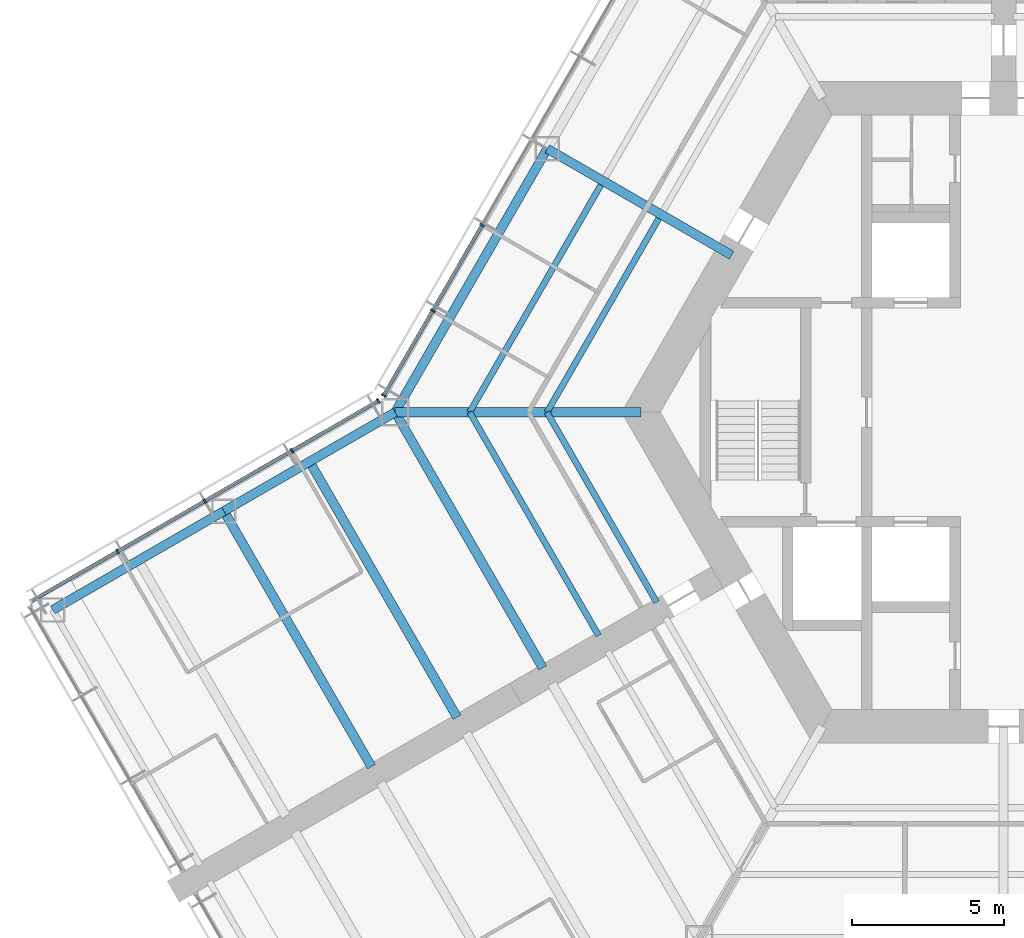
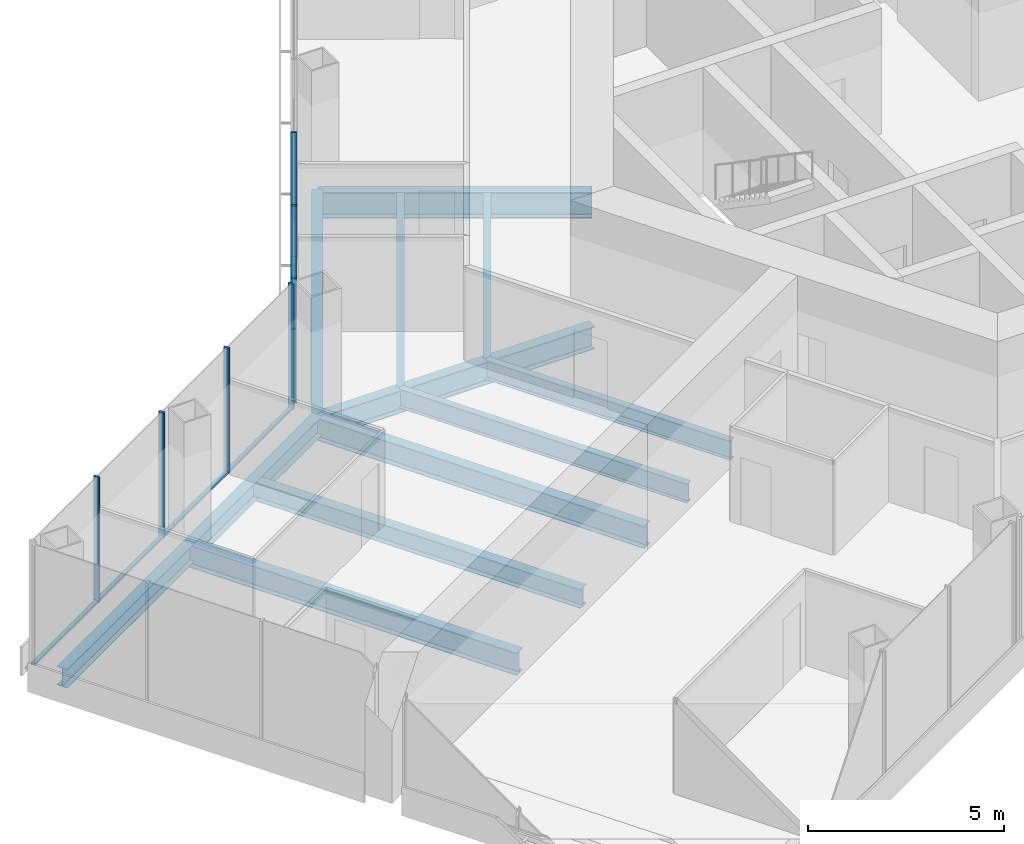
# One storey, part 4 of 18: 13 members, 12 beams, 2 elements without a shape of their own.
"""IFC4 building model written with IfcOpenShell, lengths in metres."""

from ifc_helpers import new_model, si_unit, direction, frame, origin, origin_2d, place, context, subcontext, project, spatial, rectangle, i_section, extrude, material, material_profile, profile_set, type_object, element, aggregate, save


model = new_model("IFC4")

# Units and contexts
model_context = context("Model", 3, precision=1e-05, world=origin(), true_north=direction((0.0, 1.0)))
body_context = subcontext(model_context, "Body", "Model", "MODEL_VIEW")
ifc_project = project(units=[si_unit("LENGTHUNIT", "METRE"), si_unit("AREAUNIT", "SQUARE_METRE"), si_unit("VOLUMEUNIT", "CUBIC_METRE"), si_unit("PLANEANGLEUNIT", "RADIAN"), si_unit("MASSUNIT", "GRAM", prefix="KILO")], contexts=[model_context])

# Site, building, storey
site_placement = place(None, origin())
site = spatial("IfcSite", under=ifc_project, at=site_placement, CompositionType="ELEMENT")
building_placement = place(site_placement, origin())
building = spatial("IfcBuilding", under=site, at=building_placement, Name="Kasaneha Research Tower", CompositionType="ELEMENT")
storey_placement = place(building_placement, frame((0.0, 0.0, 80.699951171875)))
storey = spatial("IfcBuildingStorey", under=building, at=storey_placement, Name="L20", CompositionType="ELEMENT", Elevation=80.699951171875)

# Beams
ifc_material_1 = material(Name="Steel SN490B", Category="steel")
ifc_material_profile_1 = material_profile(ifc_material_1, i_section(OverallWidth=0.199951171875, OverallDepth=0.60009765625, WebThickness=0.010986328125, FlangeThickness=0.01708984375, FilletRadius=0.012939453125, at=origin_2d()), Name="H-600x200x11x17")
ifc_profile_set_1 = profile_set([ifc_material_profile_1], Name="Steel SN490B")
beam_type_1 = type_object("IfcBeamType", Name="B1-3 secondary beam H-600x200x11x17", PredefinedType="JOIST", material=ifc_profile_set_1)
beam_1_placement = place(storey_placement, frame((-15.010986328125, 0.0, -0.449951171875), z_axis=(0.499994443168, 0.866028611999, 0.0), x_axis=(-0.866028611999, 0.499994443168, 0.0)))
element("IfcBeam", 1, at=beam_1_placement, inside=storey, type_object=beam_type_1, Name="Secondary beam RS150R1 L20", PredefinedType="JOIST", context=body_context, shape_type="SweptSolid", body=[
    extrude(i_section(OverallWidth=0.199951171875, OverallDepth=0.60009765625, WebThickness=0.010986328125, FlangeThickness=0.01708984375, FilletRadius=0.012939453125, at=origin_2d()), origin(), (0.0, 0.0, 1.0), 7.35546875),
])
beam_2_placement = place(storey_placement, frame((-17.551513671875, 0.0, -0.449951171875), z_axis=(0.5000050195, 0.866022505755, 0.0), x_axis=(-0.866022505755, 0.5000050195, 0.0)))
element("IfcBeam", 2, at=beam_2_placement, inside=storey, type_object=beam_type_1, Name="Secondary beam RS150R2 L20", PredefinedType="JOIST", context=body_context, shape_type="SweptSolid", body=[
    extrude(i_section(OverallWidth=0.199951171875, OverallDepth=0.60009765625, WebThickness=0.010986328125, FlangeThickness=0.01708984375, FilletRadius=0.012939453125, at=origin_2d()), origin(), (0.0, 0.0, 1.0), 8.6259765625),
])
beam_3_placement = place(storey_placement, frame((-15.010986328125, 0.0, -0.449951171875), z_axis=(0.499972735707, -0.866041144259, 0.0), x_axis=(0.866041144259, 0.499972735707, 0.0)))
element("IfcBeam", 3, at=beam_3_placement, inside=storey, type_object=beam_type_1, Name="Secondary beam RS210L1 L20", PredefinedType="JOIST", context=body_context, shape_type="SweptSolid", body=[
    extrude(i_section(OverallWidth=0.199951171875, OverallDepth=0.60009765625, WebThickness=0.010986328125, FlangeThickness=0.01708984375, FilletRadius=0.012939453125, at=origin_2d()), origin(), (0.0, 0.0, 1.0), 7.20556640625),
])
beam_4_placement = place(storey_placement, frame((-17.551513671875, 0.0, -0.449951171875), z_axis=(0.500020829043, -0.866013377797, 0.0), x_axis=(0.866013377797, 0.500020829043, 0.0)))
element("IfcBeam", 4, at=beam_4_placement, inside=storey, type_object=beam_type_1, Name="Secondary beam RS210L2 L20", PredefinedType="JOIST", context=body_context, shape_type="SweptSolid", body=[
    extrude(i_section(OverallWidth=0.199951171875, OverallDepth=0.60009765625, WebThickness=0.010986328125, FlangeThickness=0.01708984375, FilletRadius=0.012939453125, at=origin_2d()), origin(), (0.0, 0.0, 1.0), 8.475830078125),
])
ifc_material_2 = material(Name="Steel SN490B", Category="steel")
ifc_material_profile_2 = material_profile(ifc_material_2, i_section(OverallWidth=0.300048828125, OverallDepth=0.58203125, WebThickness=0.011962890625, FlangeThickness=0.01708984375, FilletRadius=0.012939453125, at=origin_2d()), Name="H-582x300x12x17")
ifc_profile_set_2 = profile_set([ifc_material_profile_2], Name="Steel SN490B")
beam_type_2 = type_object("IfcBeamType", Name="B2-3 secondary beam H-582x300x12x17", PredefinedType="JOIST", material=ifc_profile_set_2)
beam_5_placement = place(storey_placement, frame((-22.814697265625, -1.625, -0.44091796875), z_axis=(0.500010041276, -0.866019606374, 0.0), x_axis=(0.866019606374, 0.500010041276, 0.0)))
element("IfcBeam", 5, at=beam_5_placement, inside=storey, type_object=beam_type_2, Name="Secondary beam WBBP1 L20", PredefinedType="JOIST", context=body_context, shape_type="SweptSolid", body=[
    extrude(i_section(OverallWidth=0.300048828125, OverallDepth=0.58203125, WebThickness=0.011962890625, FlangeThickness=0.01708984375, FilletRadius=0.012939453125, at=origin_2d()), origin(), (0.0, 0.0, 1.0), 9.699951171875),
])

# Curtain wall, members
ifc_material_3 = material(Name="Glass and aluminium", Category="aluminium")
curtain_wall_type = type_object("IfcCurtainWallType", Name="Low-rise office curtain wall", PredefinedType="USERDEFINED", material=ifc_material_3)
curtain_wall_1_placement = place(storey_placement, origin())
curtain_wall_1 = element("IfcCurtainWall", 6, at=curtain_wall_1_placement, inside=storey, type_object=curtain_wall_type, Name="CW-O1 L20 run 12a", ObjectType="UNITISED CURTAIN WALL", PredefinedType="USERDEFINED")
ifc_material_4 = material(Name="Aluminium 6063-T6", Category="aluminium")
ifc_material_profile_3 = material_profile(ifc_material_4, rectangle(XDim=0.06005859375, YDim=0.159912109375, at=origin_2d()), Name="CW-O1 mullion 60x160")
ifc_profile_set_3 = profile_set([ifc_material_profile_3], Name="Aluminium 6063-T6")
member_type_1 = type_object("IfcMemberType", Name="CW-O1 mullion", PredefinedType="MULLION", material=ifc_profile_set_3)
member_1_placement = place(storey_placement, frame((-17.142822265625, 6.148681640625, 0.0), z_axis=(0.0, 0.0, 1.0), x_axis=(-0.49999996188, -0.866025425793, 0.0)))
member_1 = element("IfcMember", 7, at=member_1_placement, type_object=member_type_1, Name="CW-O1 mullion 5", PredefinedType="MULLION", context=body_context, shape_type="SweptSolid", body=[
    extrude(rectangle(XDim=0.06005859375, YDim=0.159912109375, at=origin_2d()), origin(), (0.0, 0.0, 1.0), 3.900146484375),
])
member_2_placement = place(storey_placement, frame((-18.76611328125, 3.33740234375, 0.0), z_axis=(0.0, 0.0, 1.0), x_axis=(-0.49999996188, -0.866025425793, 0.0)))
member_2 = element("IfcMember", 8, at=member_2_placement, type_object=member_type_1, Name="CW-O1 mullion 6", PredefinedType="MULLION", context=body_context, shape_type="SweptSolid", body=[
    extrude(rectangle(XDim=0.06005859375, YDim=0.159912109375, at=origin_2d()), origin(), (0.0, 0.0, 1.0), 3.900146484375),
])
member_3_placement = place(storey_placement, frame((-20.374267578125, 0.5517578125, 0.0), z_axis=(0.0, 0.0, 1.0), x_axis=(-0.49999996188, -0.866025425793, 0.0)))
member_3 = element("IfcMember", 9, at=member_3_placement, type_object=member_type_1, Name="CW-O1 mullion 7", PredefinedType="MULLION", context=body_context, shape_type="SweptSolid", body=[
    extrude(rectangle(XDim=0.06005859375, YDim=0.159912109375, at=origin_2d()), origin(), (0.0, 0.0, 1.0), 3.900146484375),
])

curtain_wall_2_placement = place(storey_placement, origin())
curtain_wall_2 = element("IfcCurtainWall", 10, at=curtain_wall_2_placement, inside=storey, type_object=curtain_wall_type, Name="CW-O1 L20 run 13a", ObjectType="UNITISED CURTAIN WALL", PredefinedType="USERDEFINED")
member_4_placement = place(storey_placement, frame((-20.5517578125, 0.374267578125, 0.0), z_axis=(0.0, 0.0, 1.0), x_axis=(-0.866025411464, -0.499999986699, 0.0)))
member_4 = element("IfcMember", 11, at=member_4_placement, type_object=member_type_1, Name="CW-O1 mullion 1", PredefinedType="MULLION", context=body_context, shape_type="SweptSolid", body=[
    extrude(rectangle(XDim=0.06005859375, YDim=0.159912109375, at=origin_2d()), origin(), (0.0, 0.0, 1.0), 3.900146484375),
])
member_5_placement = place(storey_placement, frame((-23.39208984375, -1.265625, 0.0), z_axis=(0.0, 0.0, 1.0), x_axis=(-0.866025411464, -0.499999986699, 0.0)))
member_5 = element("IfcMember", 12, at=member_5_placement, type_object=member_type_1, Name="CW-O1 mullion 2", PredefinedType="MULLION", context=body_context, shape_type="SweptSolid", body=[
    extrude(rectangle(XDim=0.06005859375, YDim=0.159912109375, at=origin_2d()), origin(), (0.0, 0.0, 1.0), 3.900146484375),
])
member_6_placement = place(storey_placement, frame((-26.258544921875, -2.920654296875, 0.0), z_axis=(0.0, 0.0, 1.0), x_axis=(-0.866025411464, -0.499999986699, 0.0)))
member_6 = element("IfcMember", 13, at=member_6_placement, type_object=member_type_1, Name="CW-O1 mullion 3", PredefinedType="MULLION", context=body_context, shape_type="SweptSolid", body=[
    extrude(rectangle(XDim=0.06005859375, YDim=0.159912109375, at=origin_2d()), origin(), (0.0, 0.0, 1.0), 3.900146484375),
])
member_7_placement = place(storey_placement, frame((-29.125, -4.575439453125, 0.0), z_axis=(0.0, 0.0, 1.0), x_axis=(-0.866025411464, -0.499999986699, 0.0)))
member_7 = element("IfcMember", 14, at=member_7_placement, type_object=member_type_1, Name="CW-O1 mullion 4", PredefinedType="MULLION", context=body_context, shape_type="SweptSolid", body=[
    extrude(rectangle(XDim=0.06005859375, YDim=0.159912109375, at=origin_2d()), origin(), (0.0, 0.0, 1.0), 3.900146484375),
])

# Member
ifc_material_5 = material(Name="Aluminium 6063-T6", Category="aluminium")
ifc_material_profile_4 = material_profile(ifc_material_5, rectangle(XDim=0.1201171875, YDim=0.06005859375, at=origin_2d()), Name="CW-O1 transom 120x60")
ifc_profile_set_4 = profile_set([ifc_material_profile_4], Name="Aluminium 6063-T6")
member_type_2 = type_object("IfcMemberType", Name="CW-O1 transom", PredefinedType="USERDEFINED", material=ifc_profile_set_4)
member_8_placement = place(storey_placement, frame((-17.15771484375, 6.122802734375, 0.030029296875), z_axis=(-0.500012062035, -0.866018439653, 0.0), x_axis=(0.866018439653, -0.500012062035, 0.0)))
member_8 = element("IfcMember", 15, at=member_8_placement, type_object=member_type_2, Name="CW-O1 transom 5", ObjectType="TRANSOM", PredefinedType="USERDEFINED", context=body_context, shape_type="SweptSolid", body=[
    extrude(rectangle(XDim=0.1201171875, YDim=0.06005859375, at=origin_2d()), origin(), (0.0, 0.0, 1.0), 3.1865234375),
])

member_9_placement = place(storey_placement, frame((-18.781005859375, 3.311279296875, 0.030029296875), z_axis=(-0.499999210213, -0.866025859768, 0.0), x_axis=(0.866025859768, -0.499999210213, 0.0)))
member_9 = element("IfcMember", 16, at=member_9_placement, type_object=member_type_2, Name="CW-O1 transom 6", ObjectType="TRANSOM", PredefinedType="USERDEFINED", context=body_context, shape_type="SweptSolid", body=[
    extrude(rectangle(XDim=0.1201171875, YDim=0.06005859375, at=origin_2d()), origin(), (0.0, 0.0, 1.0), 3.15625),
])

aggregate(curtain_wall_1, [member_1, member_2, member_3, member_8, member_9])

member_10_placement = place(storey_placement, frame((-20.577880859375, 0.359130859375, 0.030029296875), z_axis=(-0.866022692473, -0.500004696101, 0.0), x_axis=(0.500004696101, -0.866022692473, 0.0)))
member_10 = element("IfcMember", 17, at=member_10_placement, type_object=member_type_2, Name="CW-O1 transom 1", ObjectType="TRANSOM", PredefinedType="USERDEFINED", context=body_context, shape_type="SweptSolid", body=[
    extrude(rectangle(XDim=0.1201171875, YDim=0.06005859375, at=origin_2d()), origin(), (0.0, 0.0, 1.0), 3.2197265625),
])

member_11_placement = place(storey_placement, frame((-23.418212890625, -1.28076171875, 0.030029296875), z_axis=(-0.86604797581, -0.499960902066, 0.0), x_axis=(0.499960902066, -0.86604797581, 0.0)))
member_11 = element("IfcMember", 18, at=member_11_placement, type_object=member_type_2, Name="CW-O1 transom 2", ObjectType="TRANSOM", PredefinedType="USERDEFINED", context=body_context, shape_type="SweptSolid", body=[
    extrude(rectangle(XDim=0.1201171875, YDim=0.06005859375, at=origin_2d()), origin(), (0.0, 0.0, 1.0), 3.249755859375),
])

member_12_placement = place(storey_placement, frame((-26.28466796875, -2.935546875, 0.030029296875), z_axis=(-0.86599666273, -0.500049777664, 0.0), x_axis=(0.500049777664, -0.86599666273, 0.0)))
member_12 = element("IfcMember", 19, at=member_12_placement, type_object=member_type_2, Name="CW-O1 transom 3", ObjectType="TRANSOM", PredefinedType="USERDEFINED", context=body_context, shape_type="SweptSolid", body=[
    extrude(rectangle(XDim=0.1201171875, YDim=0.06005859375, at=origin_2d()), origin(), (0.0, 0.0, 1.0), 3.249755859375),
])

member_13_placement = place(storey_placement, frame((-29.15087890625, -4.590576171875, 0.030029296875), z_axis=(-0.866041647767, -0.499971863542, 0.0), x_axis=(0.499971863542, -0.866041647767, 0.0)))
member_13 = element("IfcMember", 20, at=member_13_placement, type_object=member_type_2, Name="CW-O1 transom 4", ObjectType="TRANSOM", PredefinedType="USERDEFINED", context=body_context, shape_type="SweptSolid", body=[
    extrude(rectangle(XDim=0.1201171875, YDim=0.06005859375, at=origin_2d()), origin(), (0.0, 0.0, 1.0), 3.219970703125),
])

aggregate(curtain_wall_2, [member_4, member_5, member_6, member_7, member_10, member_11, member_12, member_13])

# Beams
ifc_material_6 = material(Name="Steel SN490B", Category="steel")
ifc_material_profile_5 = material_profile(ifc_material_6, i_section(OverallWidth=0.300048828125, OverallDepth=0.699951171875, WebThickness=0.012939453125, FlangeThickness=0.02392578125, FilletRadius=0.01806640625, at=origin_2d()), Name="H-700x300x13x24")
ifc_profile_set_5 = profile_set([ifc_material_profile_5], Name="Steel SN490B")
beam_type_3 = type_object("IfcBeamType", Name="G1-3 radial girder H-700x300x13x24", PredefinedType="BEAM", material=ifc_profile_set_5)
beam_6_placement = place(storey_placement, frame((-11.92236328125, 0.0, -0.5), z_axis=(-1.0, 0.0, 0.0), x_axis=(0.0, -1.0, 0.0)))
element("IfcBeam", 21, at=beam_6_placement, inside=storey, type_object=beam_type_3, Name="Radial girder RV180 L20", PredefinedType="BEAM", context=body_context, shape_type="SweptSolid", body=[
    extrude(i_section(OverallWidth=0.300048828125, OverallDepth=0.699951171875, WebThickness=0.012939453125, FlangeThickness=0.02392578125, FilletRadius=0.01806640625, at=origin_2d()), origin(), (0.0, 0.0, 1.0), 8.07763671875),
])
ifc_material_7 = material(Name="Steel SN490B", Category="steel")
ifc_material_profile_6 = material_profile(ifc_material_7, i_section(OverallWidth=0.300048828125, OverallDepth=0.800048828125, WebThickness=0.013916015625, FlangeThickness=0.02587890625, FilletRadius=0.01806640625, at=origin_2d()), Name="H-800x300x14x26")
ifc_profile_set_6 = profile_set([ifc_material_profile_6], Name="Steel SN490B")
beam_type_4 = type_object("IfcBeamType", Name="G2-3 radial girder H-800x300x14x26", PredefinedType="BEAM", material=ifc_profile_set_6)
beam_7_placement = place(storey_placement, frame((-8.941650390625, 5.16259765625, -0.550048828125), z_axis=(-0.866039713508, 0.499975214012, 0.0), x_axis=(-0.499975214012, -0.866039713508, 0.0)))
element("IfcBeam", 22, at=beam_7_placement, inside=storey, type_object=beam_type_4, Name="Radial girder RM150 L20", PredefinedType="BEAM", context=body_context, shape_type="SweptSolid", body=[
    extrude(i_section(OverallWidth=0.300048828125, OverallDepth=0.800048828125, WebThickness=0.013916015625, FlangeThickness=0.02587890625, FilletRadius=0.01806640625, at=origin_2d()), origin(), (0.0, 0.0, 1.0), 6.995361328125),
])
ifc_material_8 = material(Name="Steel SN490B", Category="steel")
ifc_material_profile_7 = material_profile(ifc_material_8, i_section(OverallWidth=0.300048828125, OverallDepth=0.69189453125, WebThickness=0.012939453125, FlangeThickness=0.02001953125, FilletRadius=0.01806640625, at=origin_2d()), Name="H-692x300x13x20")
ifc_profile_set_7 = profile_set([ifc_material_profile_7], Name="Steel SN490B")
beam_type_5 = type_object("IfcBeamType", Name="G3-3 plate edge girder H-692x300x13x20", PredefinedType="BEAM", material=ifc_profile_set_7)
beam_8_placement = place(storey_placement, frame((-20.0, 0.0, -0.495849609375), z_axis=(0.500010041276, -0.866019606374, 0.0), x_axis=(0.866019606374, 0.500010041276, 0.0)))
element("IfcBeam", 23, at=beam_8_placement, inside=storey, type_object=beam_type_5, Name="Plate edge girder PEBP L20", PredefinedType="BEAM", context=body_context, shape_type="SweptSolid", body=[
    extrude(i_section(OverallWidth=0.300048828125, OverallDepth=0.69189453125, WebThickness=0.012939453125, FlangeThickness=0.02001953125, FilletRadius=0.01806640625, at=origin_2d()), origin(), (0.0, 0.0, 1.0), 9.699951171875),
])
ifc_material_9 = material(Name="Steel SN490B", Category="steel")
ifc_material_profile_8 = material_profile(ifc_material_9, i_section(OverallWidth=0.300048828125, OverallDepth=0.699951171875, WebThickness=0.012939453125, FlangeThickness=0.02392578125, FilletRadius=0.01806640625, at=origin_2d()), Name="H-700x300x13x24")
ifc_profile_set_8 = profile_set([ifc_material_profile_8], Name="Steel SN490B")
beam_type_6 = type_object("IfcBeamType", Name="G4-3 wing girder H-700x300x13x24", PredefinedType="BEAM", material=ifc_profile_set_8)
beam_9_placement = place(storey_placement, frame((-25.629150390625, -3.25, -0.5), z_axis=(0.500010041276, -0.866019606374, 0.0), x_axis=(0.866019606374, 0.500010041276, 0.0)))
element("IfcBeam", 24, at=beam_9_placement, inside=storey, type_object=beam_type_6, Name="Wing girder WGBP L20", PredefinedType="BEAM", context=body_context, shape_type="SweptSolid", body=[
    extrude(i_section(OverallWidth=0.300048828125, OverallDepth=0.699951171875, WebThickness=0.012939453125, FlangeThickness=0.02392578125, FilletRadius=0.01806640625, at=origin_2d()), origin(), (0.0, 0.0, 1.0), 9.699951171875),
])
ifc_material_10 = material(Name="Steel SN490B", Category="steel")
ifc_material_profile_9 = material_profile(ifc_material_10, i_section(OverallWidth=0.300048828125, OverallDepth=0.69189453125, WebThickness=0.012939453125, FlangeThickness=0.02001953125, FilletRadius=0.01806640625, at=origin_2d()), Name="H-692x300x13x20")
ifc_profile_set_9 = profile_set([ifc_material_profile_9], Name="Steel SN490B")
beam_type_7 = type_object("IfcBeamType", Name="SB1-3 spandrel beam H-692x300x13x20", PredefinedType="SPANDREL", material=ifc_profile_set_9)
beam_10_placement = place(storey_placement, frame((-20.0, 0.0, -0.495849609375), z_axis=(0.500004234368, 0.866022959057, 0.0), x_axis=(-0.866022959057, 0.500004234368, 0.0)))
element("IfcBeam", 25, at=beam_10_placement, inside=storey, type_object=beam_type_7, Name="Spandrel beam SR150R L20", PredefinedType="SPANDREL", context=body_context, shape_type="SweptSolid", body=[
    extrude(i_section(OverallWidth=0.300048828125, OverallDepth=0.69189453125, WebThickness=0.012939453125, FlangeThickness=0.02001953125, FilletRadius=0.01806640625, at=origin_2d()), origin(), (0.0, 0.0, 1.0), 10.0),
])
ifc_material_11 = material(Name="Steel SN490B", Category="steel")
ifc_material_profile_10 = material_profile(ifc_material_11, i_section(OverallWidth=0.300048828125, OverallDepth=0.58203125, WebThickness=0.011962890625, FlangeThickness=0.01708984375, FilletRadius=0.012939453125, at=origin_2d()), Name="H-582x300x12x17")
ifc_profile_set_10 = profile_set([ifc_material_profile_10], Name="Steel SN490B")
beam_type_8 = type_object("IfcBeamType", Name="SB2-3 spandrel beam H-582x300x12x17", PredefinedType="SPANDREL", material=ifc_profile_set_10)
for number, where, z_axis, x_axis, name in (
    (26, (-20.0, 0.0, -0.44091796875), (-0.866024837091, -0.50000098154, 0.0), (0.50000098154, -0.866024837091, 0.0), "Spandrel beam WSBP1 L20"),
    (27, (-25.629150390625, -3.25, -0.44091796875), (-0.866024837091, -0.50000098154, 0.0), (0.50000098154, -0.866024837091, 0.0), "Spandrel beam WSBP2 L20"),
):
    element("IfcBeam", number, at=place(storey_placement, frame(where, z_axis=z_axis, x_axis=x_axis)), inside=storey, type_object=beam_type_8, Name=name, PredefinedType="SPANDREL", context=body_context, shape_type="SweptSolid", body=[
        extrude(i_section(OverallWidth=0.300048828125, OverallDepth=0.58203125, WebThickness=0.011962890625, FlangeThickness=0.01708984375, FilletRadius=0.012939453125, at=origin_2d()), origin(), (0.0, 0.0, 1.0), 6.5),
    ])

save(model, "model.ifc")
